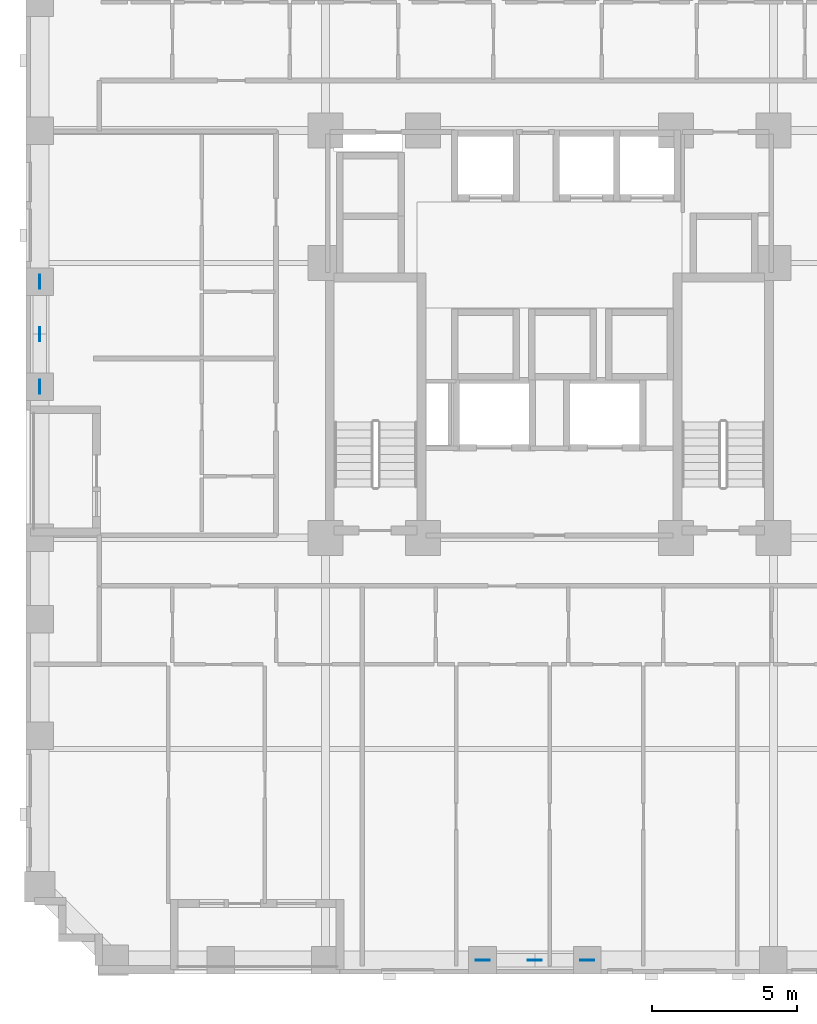
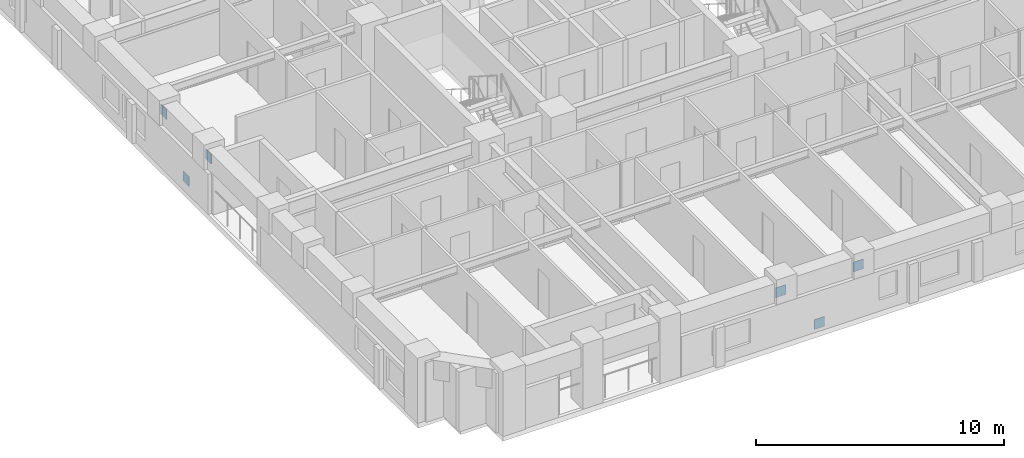
# One storey, part 10 of 14: 6 discrete accessories.
"""IFC4 building model written with IfcOpenShell, lengths in metres."""

from ifc_helpers import new_model, si_unit, derived_unit, direction, frame, origin, origin_2d, place, context, subcontext, project, spatial, rectangle, extrude, material, layer, layer_set, type_object, element, save


model = new_model("IFC4")

# Units and contexts
model_context = context("Model", 3, precision=1e-05, world=origin(), true_north=direction((0.0, 1.0)))
body_context = subcontext(model_context, "Body", "Model", "MODEL_VIEW")
ifc_project = project(units=[si_unit("LENGTHUNIT", "METRE"), si_unit("AREAUNIT", "SQUARE_METRE"), si_unit("VOLUMEUNIT", "CUBIC_METRE"), si_unit("PLANEANGLEUNIT", "RADIAN"), si_unit("MASSUNIT", "GRAM", prefix="KILO"), derived_unit("THERMALTRANSMITTANCEUNIT", [(si_unit("MASSUNIT", "GRAM", prefix="KILO"), 1), (si_unit("TIMEUNIT", "SECOND"), -3), (si_unit("THERMODYNAMICTEMPERATUREUNIT", "KELVIN"), -1)])], contexts=[model_context])

# Site, building, storey
site_placement = place(None, origin())
site = spatial("IfcSite", under=ifc_project, at=site_placement, CompositionType="ELEMENT")
building_placement = place(site_placement, origin())
building = spatial("IfcBuilding", under=site, at=building_placement, Name="Korrvale Station Residences", CompositionType="ELEMENT")
storey_placement = place(building_placement, frame((0.0, 0.0, 45.0)))
storey = spatial("IfcBuildingStorey", under=building, at=storey_placement, Name="L11", CompositionType="ELEMENT", Elevation=45.0)

# Discrete accessories
ifc_material = material(Name="Steel S355", Category="steel")
ifc_layer = layer(ifc_material, 0.02490234375, Name="Steel S355")
ifc_layer_set = layer_set([ifc_layer], Name="Steel S355")
discrete_accessory_type = type_object("IfcDiscreteAccessoryType", Name="ACC-GUSSET-25", PredefinedType="BRACKET", material=ifc_layer_set)
for number, where, z_axis, x_axis, name in (
    (1, (25.0, 0.47998046875, -0.219970703125), (0.0, 0.0, 1.0), (1.0, 0.0, 0.0), "L11 S Brace End Gusset Connection M"),
    (2, (23.199951171875, 0.47998046875, 1.969970703125), (0.0, 0.0, 1.0), (1.0, 0.0, 0.0), "L11 S Brace End Gusset Connection A"),
    (3, (26.800048828125, 0.47998046875, 1.969970703125), (0.0, 0.0, 1.0), (1.0, 0.0, 0.0), "L11 S Brace End Gusset Connection B"),
    (4, (7.97998046875, 22.0, -0.219970703125), (0.0, 0.0, 1.0), (0.0, 1.0, 0.0), "L11 W Brace End Gusset Connection M"),
    (5, (7.97998046875, 20.199951171875, 1.969970703125), (0.0, 0.0, 1.0), (0.0, 1.0, 0.0), "L11 W Brace End Gusset Connection A"),
    (6, (7.97998046875, 23.800048828125, 1.969970703125), (0.0, 0.0, 1.0), (0.0, 1.0, 0.0), "L11 W Brace End Gusset Connection B"),
):
    element("IfcDiscreteAccessory", number, at=place(storey_placement, frame(where, z_axis=z_axis, x_axis=x_axis)), inside=storey, type_object=discrete_accessory_type, Name=name, PredefinedType="BRACKET", context=body_context, shape_type="SweptSolid", body=[
        extrude(rectangle(XDim=0.47998046875, YDim=0.02490234375, at=origin_2d()), origin(), (0.0, 0.0, 1.0), 0.47998046875),
    ])

save(model, "model.ifc")
